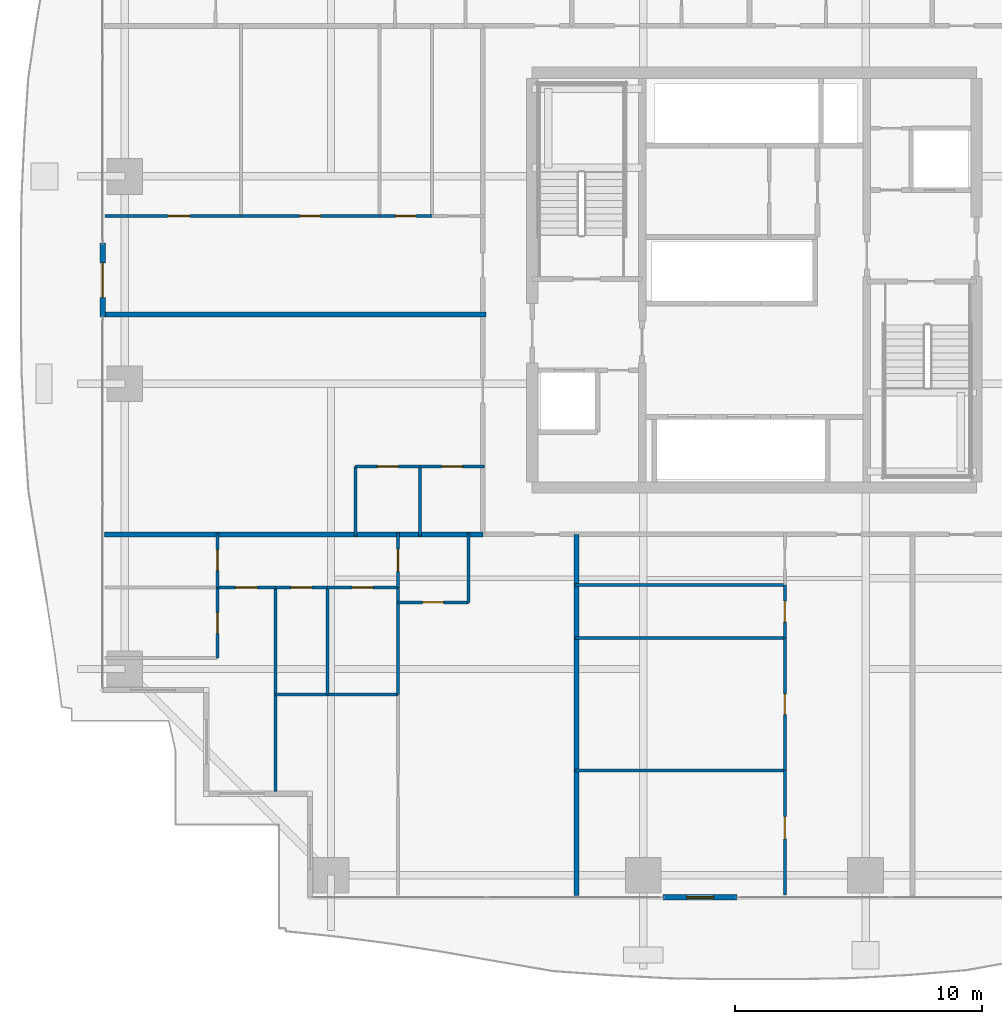
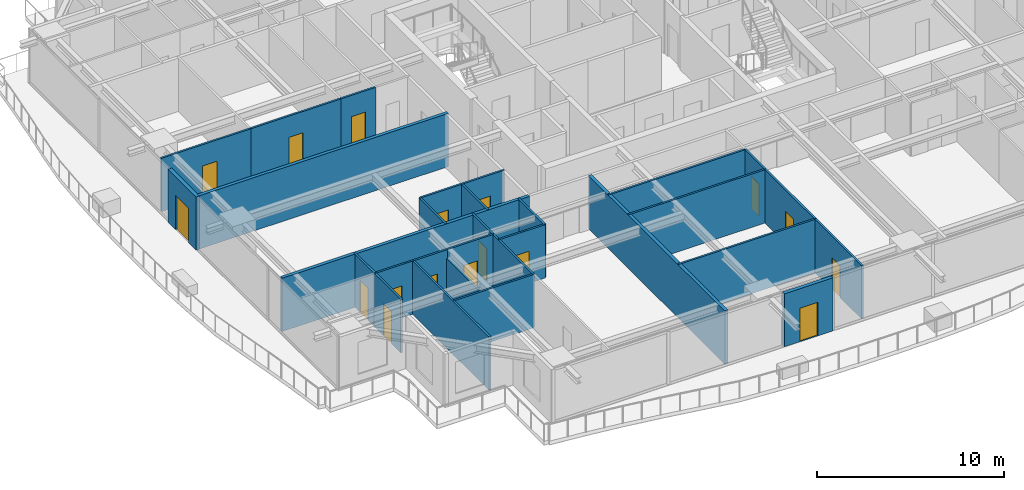
# One storey, part 27 of 41: 30 walls, 17 doors, 17 openings.
"""IFC4 building model written with IfcOpenShell, lengths in metres."""

from ifc_helpers import new_model, si_unit, direction, frame, frame_2d, origin, place, context, subcontext, project, spatial, rectangle, extrude, source, transform, mapped, material, layer, layer_set, type_object, element, fill, save


model = new_model("IFC4")

# Units and contexts
model_context = context("Model", 3, precision=1e-05, world=origin(), true_north=direction((0.0, 1.0)))
body_context = subcontext(model_context, "Body", "Model", "MODEL_VIEW")
ifc_project = project(units=[si_unit("LENGTHUNIT", "METRE"), si_unit("AREAUNIT", "SQUARE_METRE"), si_unit("VOLUMEUNIT", "CUBIC_METRE"), si_unit("PLANEANGLEUNIT", "RADIAN"), si_unit("MASSUNIT", "GRAM", prefix="KILO")], contexts=[model_context])

# Site, building, storey
site_placement = place(None, origin())
site = spatial("IfcSite", under=ifc_project, at=site_placement, CompositionType="ELEMENT")
building_placement = place(site_placement, origin())
building = spatial("IfcBuilding", under=site, at=building_placement, Name="Serunith Strait Residences", CompositionType="ELEMENT")
storey_placement = place(building_placement, frame((0.0, 0.0, 45.449951171875)))
storey = spatial("IfcBuildingStorey", under=building, at=storey_placement, Name="L10", CompositionType="ELEMENT", Elevation=45.449951171875)

# Wall, opening, door
ifc_material_1 = material(Name="Pale-Champagne Aluminium Insulated Panel", Category="aluminium")
ifc_layer_1 = layer(ifc_material_1, 0.219970703125, Name="Pale-Champagne Aluminium Insulated Panel")
ifc_layer_set_1 = layer_set([ifc_layer_1], Name="Pale-Champagne Aluminium Insulated Panel")
wall_type_1 = type_object("IfcWallType", Name="EW-ALUM-220", PredefinedType="ELEMENTEDWALL", material=ifc_layer_set_1)
wall_1_placement = place(storey_placement, frame((28.699951171875, 0.199951171875, 0.0), z_axis=(0.0, 0.0, 1.0), x_axis=(1.0, 0.0, 0.0)))
wall_1 = element("IfcWall", 1, at=wall_1_placement, inside=storey, type_object=wall_type_1, Name="L10 S Facade Pier Wall", PredefinedType="ELEMENTEDWALL", context=body_context, shape_type="SweptSolid", body=[
    extrude(rectangle(XDim=3.0, YDim=0.219970703125, at=frame_2d((1.5, 0.0))), origin(), (0.0, 0.0, 1.0), 3.47509765625),
])
opening_1_placement = place(wall_1_placement, frame((0.949951171875, 0.0, 0.0)))
opening_1 = element("IfcOpeningElement", 2, at=opening_1_placement, cuts=wall_1, Name="Opening ED-03", PredefinedType="OPENING", context=body_context, shape_type="SweptSolid", body=[
    extrude(rectangle(XDim=1.10009765625, YDim=2.199951171875, at=frame_2d((0.550048828125, 1.10009765625))), frame((0.0, 0.1201171875, 0.0), z_axis=(0.0, -1.0, 0.0), x_axis=(1.0, 0.0, 0.0)), (0.0, 0.0, 1.0), 0.239990234375),
])
ifc_material_2 = material(Name="Thermally-Broken Aluminium Glazed Balcony Door", Category="aluminium")
door_type_1 = type_object("IfcDoorType", Name="ED-BALC-1100", OperationType="NOTDEFINED", PredefinedType="DOOR", material=ifc_material_2)
shared_shape_1 = source(origin(), body_context, "Body", "SweptSolid", [
    extrude(rectangle(XDim=1.10009765625, YDim=2.199951171875, at=frame_2d((0.550048828125, 1.10009765625))), frame((0.0, 0.02490234375, 0.0), z_axis=(0.0, -1.0, 0.0), x_axis=(1.0, 0.0, 0.0)), (0.0, 0.0, 1.0), 0.050048828125),
])
door_1_placement = place(opening_1_placement, origin())
door_1 = element("IfcDoor", 3, at=door_1_placement, inside=storey, type_object=door_type_1, Name="L10 S Vertical-Forest Balcony Door", OperationType="SINGLE_SWING_LEFT", OverallHeight=2.199951171875, OverallWidth=1.10009765625, PredefinedType="DOOR", context=body_context, shape_type="MappedRepresentation", body=[
    mapped(shared_shape_1, transform((0.0, 0.0, 0.0), scale=1.0)),
])
fill(opening_1, door_1)

wall_2_placement = place(storey_placement, frame((6.0, 26.699951171875, 0.0), z_axis=(0.0, 0.0, 1.0), x_axis=(0.0, -1.0, 0.0)))
wall_2 = element("IfcWall", 4, at=wall_2_placement, inside=storey, type_object=wall_type_1, Name="L10 W Facade Pier Wall", PredefinedType="ELEMENTEDWALL", context=body_context, shape_type="SweptSolid", body=[
    extrude(rectangle(XDim=3.0, YDim=0.219970703125, at=frame_2d((1.5, 0.0))), origin(), (0.0, 0.0, 1.0), 3.47509765625),
])
opening_2_placement = place(wall_2_placement, frame((0.800048828125, 0.0, 0.0)))
opening_2 = element("IfcOpeningElement", 5, at=opening_2_placement, cuts=wall_2, Name="Opening ED-04", PredefinedType="OPENING", context=body_context, shape_type="SweptSolid", body=[
    extrude(rectangle(XDim=1.39990234375, YDim=2.25, at=frame_2d((0.699951171875, 1.125))), frame((0.0, 0.1201171875, 0.0), z_axis=(0.0, -1.0, 0.0), x_axis=(1.0, 0.0, 0.0)), (0.0, 0.0, 1.0), 0.239990234375),
])
ifc_material_3 = material(Name="Thermally-Broken Aluminium Sliding Balcony Door", Category="aluminium")
door_type_2 = type_object("IfcDoorType", Name="ED-BALC-1400", OperationType="NOTDEFINED", PredefinedType="DOOR", material=ifc_material_3)
shared_shape_2 = source(origin(), body_context, "Body", "SweptSolid", [
    extrude(rectangle(XDim=1.39990234375, YDim=2.25, at=frame_2d((0.699951171875, 1.125))), frame((0.0, 0.02490234375, 0.0), z_axis=(0.0, -1.0, 0.0), x_axis=(1.0, 0.0, 0.0)), (0.0, 0.0, 1.0), 0.050048828125),
])
door_2_placement = place(opening_2_placement, origin())
door_2 = element("IfcDoor", 6, at=door_2_placement, inside=storey, type_object=door_type_2, Name="L10 W Vertical-Forest Balcony Door", OperationType="SLIDING_TO_LEFT", OverallHeight=2.25, OverallWidth=1.39990234375, PredefinedType="DOOR", context=body_context, shape_type="MappedRepresentation", body=[
    mapped(shared_shape_2, transform((0.0, 0.0, 0.0), scale=1.0)),
])
fill(opening_2, door_2)

ifc_material_4 = material(Name="Lightweight steel-stud gypsum partition", Category="steel")
ifc_layer_2 = layer(ifc_material_4, 0.1201171875, Name="Lightweight steel-stud gypsum partition")
ifc_layer_set_2 = layer_set([ifc_layer_2], Name="Lightweight steel-stud gypsum partition")
wall_type_2 = type_object("IfcWallType", Name="IW-PART-120", PredefinedType="PARTITIONING", material=ifc_layer_set_2)
wall_3_placement = place(storey_placement, frame((17.9599609375, 12.14990234375, 0.0), z_axis=(0.0, 0.0, 1.0), x_axis=(1.0, 0.0, 0.0)))
wall_3 = element("IfcWall", 7, at=wall_3_placement, inside=storey, type_object=wall_type_2, Name="L10 Partition Wall 029", PredefinedType="PARTITIONING", context=body_context, shape_type="SweptSolid", body=[
    extrude(rectangle(XDim=2.85009765625, YDim=0.1201171875, at=frame_2d((1.425048828125, 0.0))), origin(), (0.0, 0.0, 1.0), 3.489990234375),
])
opening_3_placement = place(wall_3_placement, frame((1.0, 0.0, 0.0)))
opening_3 = element("IfcOpeningElement", 8, at=opening_3_placement, cuts=wall_3, Name="Opening D-RM850", PredefinedType="OPENING", context=body_context, shape_type="SweptSolid", body=[
    extrude(rectangle(XDim=0.85009765625, YDim=2.10009765625, at=frame_2d((0.425048828125, 1.050048828125))), frame((0.0, 0.070068359375, 0.0), z_axis=(0.0, -1.0, 0.0), x_axis=(1.0, 0.0, 0.0)), (0.0, 0.0, 1.0), 0.14013671875),
])
ifc_material_5 = material(Name="Engineered timber flush study and kitchen door", Category="wood")
door_type_3 = type_object("IfcDoorType", Name="ID-ROOM-850", OperationType="NOTDEFINED", PredefinedType="DOOR", material=ifc_material_5)
shared_shape_3 = source(origin(), body_context, "Body", "SweptSolid", [
    extrude(rectangle(XDim=0.85009765625, YDim=2.10009765625, at=frame_2d((0.425048828125, 1.050048828125))), frame((0.0, 0.02490234375, 0.0), z_axis=(0.0, -1.0, 0.0), x_axis=(1.0, 0.0, 0.0)), (0.0, 0.0, 1.0), 0.050048828125),
])
door_3_placement = place(opening_3_placement, origin())
door_3 = element("IfcDoor", 9, at=door_3_placement, inside=storey, type_object=door_type_3, Name="L10 Kitchen 1001 Door", OperationType="SINGLE_SWING_RIGHT", OverallHeight=2.10009765625, OverallWidth=0.85009765625, PredefinedType="DOOR", context=body_context, shape_type="MappedRepresentation", body=[
    mapped(shared_shape_3, transform((0.0, 0.0, 0.0), scale=1.0)),
])
fill(opening_3, door_3)

# Wall
wall_4_placement = place(storey_placement, frame((20.81005859375, 12.14990234375, 0.0), z_axis=(0.0, 0.0, 1.0), x_axis=(0.0, 1.0, 0.0)))
element("IfcWall", 10, at=wall_4_placement, inside=storey, type_object=wall_type_2, Name="L10 Partition Wall 030", PredefinedType="PARTITIONING", context=body_context, shape_type="SweptSolid", body=[
    extrude(rectangle(XDim=2.81005859375, YDim=0.1201171875, at=frame_2d((1.405029296875, 0.0))), origin(), (0.0, 0.0, 1.0), 3.489990234375),
])

# Wall, opening, door
wall_5_placement = place(storey_placement, frame((17.9599609375, 12.75, 0.0), z_axis=(0.0, 0.0, 1.0), x_axis=(0.0, 1.0, 0.0)))
wall_5 = element("IfcWall", 11, at=wall_5_placement, inside=storey, type_object=wall_type_2, Name="L10 Partition Wall 031", PredefinedType="PARTITIONING", context=body_context, shape_type="SweptSolid", body=[
    extrude(rectangle(XDim=2.2099609375, YDim=0.1201171875, at=frame_2d((1.10498046875, 0.0))), origin(), (0.0, 0.0, 1.0), 3.489990234375),
])
opening_4_placement = place(wall_5_placement, frame((0.655029296875, 0.0, 0.0)))
opening_4 = element("IfcOpeningElement", 12, at=opening_4_placement, cuts=wall_5, Name="Opening D-RM900", PredefinedType="OPENING", context=body_context, shape_type="SweptSolid", body=[
    extrude(rectangle(XDim=0.89990234375, YDim=2.10009765625, at=frame_2d((0.449951171875, 1.050048828125))), frame((0.0, 0.070068359375, 0.0), z_axis=(0.0, -1.0, 0.0), x_axis=(1.0, 0.0, 0.0)), (0.0, 0.0, 1.0), 0.14013671875),
])
ifc_material_6 = material(Name="Engineered timber flush bedroom door", Category="wood")
door_type_4 = type_object("IfcDoorType", Name="ID-ROOM-900", OperationType="NOTDEFINED", PredefinedType="DOOR", material=ifc_material_6)
shared_shape_4 = source(origin(), body_context, "Body", "SweptSolid", [
    extrude(rectangle(XDim=0.89990234375, YDim=2.10009765625, at=frame_2d((0.449951171875, 1.050048828125))), frame((0.0, 0.02490234375, 0.0), z_axis=(0.0, -1.0, 0.0), x_axis=(1.0, 0.0, 0.0)), (0.0, 0.0, 1.0), 0.050048828125),
])
door_4_placement = place(opening_4_placement, origin())
door_4 = element("IfcDoor", 13, at=door_4_placement, inside=storey, type_object=door_type_4, Name="L10 Hall W 1001 Door", OperationType="SINGLE_SWING_LEFT", OverallHeight=2.10009765625, OverallWidth=0.89990234375, PredefinedType="DOOR", context=body_context, shape_type="MappedRepresentation", body=[
    mapped(shared_shape_4, transform((0.0, 0.0, 0.0), scale=1.0)),
])
fill(opening_4, door_4)

# Walls
wall_6_placement = place(storey_placement, frame((17.9599609375, 8.426025390625, 0.0), z_axis=(0.0, 0.0, 1.0), x_axis=(0.0, 1.0, 0.0)))
element("IfcWall", 14, at=wall_6_placement, inside=storey, type_object=wall_type_2, Name="L10 Partition Wall 033", PredefinedType="PARTITIONING", context=body_context, shape_type="SweptSolid", body=[
    extrude(rectangle(XDim=4.322021484375, YDim=0.1201171875, at=frame_2d((2.1611328125, 0.0))), origin(), (0.0, 0.0, 1.0), 3.489990234375),
])
wall_7_placement = place(storey_placement, frame((13.0, 8.424072265625, 0.0), z_axis=(0.0, 0.0, 1.0), x_axis=(1.0, 0.0, 0.0)))
element("IfcWall", 15, at=wall_7_placement, inside=storey, type_object=wall_type_2, Name="L10 Partition Wall 034", PredefinedType="PARTITIONING", context=body_context, shape_type="SweptSolid", body=[
    extrude(rectangle(XDim=4.9599609375, YDim=0.1201171875, at=frame_2d((2.47998046875, 0.0))), origin(), (0.0, 0.0, 1.0), 3.489990234375),
])
wall_8_placement = place(storey_placement, frame((13.0, 4.4951171875, 0.0), z_axis=(0.0, 0.0, 1.0), x_axis=(0.0, 1.0, 0.0)))
element("IfcWall", 16, at=wall_8_placement, inside=storey, type_object=wall_type_2, Name="L10 Partition Wall 035", PredefinedType="PARTITIONING", context=body_context, shape_type="SweptSolid", body=[
    extrude(rectangle(XDim=8.2548828125, YDim=0.1201171875, at=frame_2d((4.12744140625, 0.0))), origin(), (0.0, 0.0, 1.0), 3.489990234375),
])
wall_9_placement = place(storey_placement, frame((15.10009765625, 8.424072265625, 0.0), z_axis=(0.0, 0.0, 1.0), x_axis=(0.0, 1.0, 0.0)))
element("IfcWall", 17, at=wall_9_placement, inside=storey, type_object=wall_type_2, Name="L10 Partition Wall 036", PredefinedType="PARTITIONING", context=body_context, shape_type="SweptSolid", body=[
    extrude(rectangle(XDim=4.325927734375, YDim=0.1201171875, at=frame_2d((2.1630859375, 0.0))), origin(), (0.0, 0.0, 1.0), 2.922119140625),
])

# Wall, opening, door
wall_10_placement = place(storey_placement, frame((13.0, 12.75, 0.0), z_axis=(0.0, 0.0, 1.0), x_axis=(1.0, 0.0, 0.0)))
wall_10 = element("IfcWall", 18, at=wall_10_placement, inside=storey, type_object=wall_type_2, Name="L10 Partition Wall 037", PredefinedType="PARTITIONING", context=body_context, shape_type="SweptSolid", body=[
    extrude(rectangle(XDim=2.10009765625, YDim=0.1201171875, at=frame_2d((1.050048828125, 0.0))), origin(), (0.0, 0.0, 1.0), 3.489990234375),
])
opening_5_placement = place(wall_10_placement, frame((0.625, 0.0, 0.0)))
opening_5 = element("IfcOpeningElement", 19, at=opening_5_placement, cuts=wall_10, Name="Opening D-BTH850", PredefinedType="OPENING", context=body_context, shape_type="SweptSolid", body=[
    extrude(rectangle(XDim=0.85009765625, YDim=2.10009765625, at=frame_2d((0.425048828125, 1.050048828125))), frame((0.0, 0.070068359375, 0.0), z_axis=(0.0, -1.0, 0.0), x_axis=(1.0, 0.0, 0.0)), (0.0, 0.0, 1.0), 0.14013671875),
])
ifc_material_7 = material(Name="Moisture-resistant timber bathroom door", Category="wood")
door_type_5 = type_object("IfcDoorType", Name="ID-BATH-850", OperationType="NOTDEFINED", PredefinedType="DOOR", material=ifc_material_7)
door_5_placement = place(opening_5_placement, origin())
door_5 = element("IfcDoor", 20, at=door_5_placement, inside=storey, type_object=door_type_5, Name="L10 Bathroom 1001 Door", OperationType="SINGLE_SWING_LEFT", OverallHeight=2.10009765625, OverallWidth=0.85009765625, PredefinedType="DOOR", context=body_context, shape_type="MappedRepresentation", body=[
    mapped(shared_shape_3, transform((0.0, 0.0, 0.0), scale=1.0)),
])
fill(opening_5, door_5)

wall_11_placement = place(storey_placement, frame((15.10205078125, 12.75, 0.0), z_axis=(0.0, 0.0, 1.0), x_axis=(1.0, 0.0, 0.0)))
wall_11 = element("IfcWall", 21, at=wall_11_placement, inside=storey, type_object=wall_type_2, Name="L10 Partition Wall 038", PredefinedType="PARTITIONING", context=body_context, shape_type="SweptSolid", body=[
    extrude(rectangle(XDim=2.85791015625, YDim=0.1201171875, at=frame_2d((1.428955078125, 0.0))), origin(), (0.0, 0.0, 1.0), 3.489990234375),
])
opening_6_placement = place(wall_11_placement, frame((1.00390625, 0.0, 0.0)))
opening_6 = element("IfcOpeningElement", 22, at=opening_6_placement, cuts=wall_11, Name="Opening D-RM850", PredefinedType="OPENING", context=body_context, shape_type="SweptSolid", body=[
    extrude(rectangle(XDim=0.85009765625, YDim=2.10009765625, at=frame_2d((0.425048828125, 1.050048828125))), frame((0.0, 0.070068359375, 0.0), z_axis=(0.0, -1.0, 0.0), x_axis=(1.0, 0.0, 0.0)), (0.0, 0.0, 1.0), 0.14013671875),
])
door_6_placement = place(opening_6_placement, origin())
door_6 = element("IfcDoor", 23, at=door_6_placement, inside=storey, type_object=door_type_3, Name="L10 Formal Dining Room 1001 Door", OperationType="SINGLE_SWING_RIGHT", OverallHeight=2.10009765625, OverallWidth=0.85009765625, PredefinedType="DOOR", context=body_context, shape_type="MappedRepresentation", body=[
    mapped(shared_shape_3, transform((0.0, 0.0, 0.0), scale=1.0)),
])
fill(opening_6, door_6)

wall_12_placement = place(storey_placement, frame((10.64990234375, 12.75, 0.0), z_axis=(0.0, 0.0, 1.0), x_axis=(1.0, 0.0, 0.0)))
wall_12 = element("IfcWall", 24, at=wall_12_placement, inside=storey, type_object=wall_type_2, Name="L10 Partition Wall 039", PredefinedType="PARTITIONING", context=body_context, shape_type="SweptSolid", body=[
    extrude(rectangle(XDim=2.34814453125, YDim=0.1201171875, at=frame_2d((1.174072265625, 0.0))), origin(), (0.0, 0.0, 1.0), 3.489990234375),
])
opening_7_placement = place(wall_12_placement, frame((0.72412109375, 0.0, 0.0)))
opening_7 = element("IfcOpeningElement", 25, at=opening_7_placement, cuts=wall_12, Name="Opening D-RM900", PredefinedType="OPENING", context=body_context, shape_type="SweptSolid", body=[
    extrude(rectangle(XDim=0.89990234375, YDim=2.10009765625, at=frame_2d((0.449951171875, 1.050048828125))), frame((0.0, 0.070068359375, 0.0), z_axis=(0.0, -1.0, 0.0), x_axis=(1.0, 0.0, 0.0)), (0.0, 0.0, 1.0), 0.14013671875),
])
door_7_placement = place(opening_7_placement, origin())
door_7 = element("IfcDoor", 26, at=door_7_placement, inside=storey, type_object=door_type_4, Name="L10 Master Bedroom W 1001 Door", OperationType="SINGLE_SWING_LEFT", OverallHeight=2.10009765625, OverallWidth=0.89990234375, PredefinedType="DOOR", context=body_context, shape_type="MappedRepresentation", body=[
    mapped(shared_shape_4, transform((0.0, 0.0, 0.0), scale=1.0)),
])
fill(opening_7, door_7)

wall_13_placement = place(storey_placement, frame((10.64990234375, 9.89404296875, 0.0), z_axis=(0.0, 0.0, 1.0), x_axis=(0.0, 1.0, 0.0)))
wall_13 = element("IfcWall", 27, at=wall_13_placement, inside=storey, type_object=wall_type_2, Name="L10 Partition Wall 042", PredefinedType="PARTITIONING", context=body_context, shape_type="SweptSolid", body=[
    extrude(rectangle(XDim=2.85595703125, YDim=0.1201171875, at=frame_2d((1.427978515625, 0.0))), origin(), (0.0, 0.0, 1.0), 3.489990234375),
])
opening_8_placement = place(wall_13_placement, frame((1.0029296875, 0.0, 0.0)))
opening_8 = element("IfcOpeningElement", 28, at=opening_8_placement, cuts=wall_13, Name="Opening D-BTH850", PredefinedType="OPENING", context=body_context, shape_type="SweptSolid", body=[
    extrude(rectangle(XDim=0.85009765625, YDim=2.10009765625, at=frame_2d((0.425048828125, 1.050048828125))), frame((0.0, 0.070068359375, 0.0), z_axis=(0.0, -1.0, 0.0), x_axis=(1.0, 0.0, 0.0)), (0.0, 0.0, 1.0), 0.14013671875),
])
door_8_placement = place(opening_8_placement, origin())
door_8 = element("IfcDoor", 29, at=door_8_placement, inside=storey, type_object=door_type_5, Name="L10 En-suite Bathroom W 1001 Door", OperationType="SINGLE_SWING_RIGHT", OverallHeight=2.10009765625, OverallWidth=0.85009765625, PredefinedType="DOOR", context=body_context, shape_type="MappedRepresentation", body=[
    mapped(shared_shape_3, transform((0.0, 0.0, 0.0), scale=1.0)),
])
fill(opening_8, door_8)

wall_14_placement = place(storey_placement, frame((10.64990234375, 12.751953125, 0.0), z_axis=(0.0, 0.0, 1.0), x_axis=(0.0, 1.0, 0.0)))
wall_14 = element("IfcWall", 30, at=wall_14_placement, inside=storey, type_object=wall_type_2, Name="L10 Partition Wall 043", PredefinedType="PARTITIONING", context=body_context, shape_type="SweptSolid", body=[
    extrude(rectangle(XDim=2.2080078125, YDim=0.1201171875, at=frame_2d((1.10400390625, 0.0))), origin(), (0.0, 0.0, 1.0), 3.489990234375),
])
opening_9_placement = place(wall_14_placement, frame((0.678955078125, 0.0, 0.0)))
opening_9 = element("IfcOpeningElement", 31, at=opening_9_placement, cuts=wall_14, Name="Opening D-RM850", PredefinedType="OPENING", context=body_context, shape_type="SweptSolid", body=[
    extrude(rectangle(XDim=0.85009765625, YDim=2.10009765625, at=frame_2d((0.425048828125, 1.050048828125))), frame((0.0, 0.070068359375, 0.0), z_axis=(0.0, -1.0, 0.0), x_axis=(1.0, 0.0, 0.0)), (0.0, 0.0, 1.0), 0.14013671875),
])
door_9_placement = place(opening_9_placement, origin())
door_9 = element("IfcDoor", 32, at=door_9_placement, inside=storey, type_object=door_type_3, Name="L10 Wardrobe W 1001 Door", OperationType="SINGLE_SWING_LEFT", OverallHeight=2.10009765625, OverallWidth=0.85009765625, PredefinedType="DOOR", context=body_context, shape_type="MappedRepresentation", body=[
    mapped(shared_shape_3, transform((0.0, 0.0, 0.0), scale=1.0)),
])
fill(opening_9, door_9)

wall_15_placement = place(storey_placement, frame((33.6298828125, 0.294921875, 0.0), z_axis=(0.0, 0.0, 1.0), x_axis=(0.0, 1.0, 0.0)))
wall_15 = element("IfcWall", 33, at=wall_15_placement, inside=storey, type_object=wall_type_2, Name="L10 Partition Wall 044", PredefinedType="PARTITIONING", context=body_context, shape_type="SweptSolid", body=[
    extrude(rectangle(XDim=5.045166015625, YDim=0.1201171875, at=frame_2d((2.5224609375, 0.0))), origin(), (0.0, 0.0, 1.0), 3.489990234375),
])
opening_10_placement = place(wall_15_placement, frame((2.280029296875, 0.0, 0.0)))
opening_10 = element("IfcOpeningElement", 34, at=opening_10_placement, cuts=wall_15, Name="Opening D-RM900", PredefinedType="OPENING", context=body_context, shape_type="SweptSolid", body=[
    extrude(rectangle(XDim=0.89990234375, YDim=2.10009765625, at=frame_2d((0.449951171875, 1.050048828125))), frame((0.0, 0.070068359375, 0.0), z_axis=(0.0, -1.0, 0.0), x_axis=(1.0, 0.0, 0.0)), (0.0, 0.0, 1.0), 0.14013671875),
])
door_10_placement = place(opening_10_placement, origin())
door_10 = element("IfcDoor", 35, at=door_10_placement, inside=storey, type_object=door_type_4, Name="L10 Master Bedroom 1 1002 Door", OperationType="SINGLE_SWING_RIGHT", OverallHeight=2.10009765625, OverallWidth=0.89990234375, PredefinedType="DOOR", context=body_context, shape_type="MappedRepresentation", body=[
    mapped(shared_shape_4, transform((0.0, 0.0, 0.0), scale=1.0)),
])
fill(opening_10, door_10)

# Walls
for number, where, z_axis, x_axis, name in (
    (36, (25.139892578125, 5.340087890625, 0.0), (0.0, 0.0, 1.0), (1.0, 0.0, 0.0), "L10 Partition Wall 045"),
    (37, (25.139892578125, 10.702880859375, 0.0), (0.0, 0.0, 1.0), (1.0, 0.0, 0.0), "L10 Partition Wall 046"),
    (38, (25.139892578125, 12.85009765625, 0.0), (0.0, 0.0, 1.0), (1.0, 0.0, 0.0), "L10 Partition Wall 047"),
):
    element("IfcWall", number, at=place(storey_placement, frame(where, z_axis=z_axis, x_axis=x_axis)), inside=storey, type_object=wall_type_2, Name=name, PredefinedType="PARTITIONING", context=body_context, shape_type="SweptSolid", body=[
        extrude(rectangle(XDim=8.489990234375, YDim=0.1201171875, at=frame_2d((4.2451171875, 0.0))), origin(), (0.0, 0.0, 1.0), 3.489990234375),
    ])

# Wall, opening, door
wall_16_placement = place(storey_placement, frame((33.6298828125, 5.342041015625, 0.0), z_axis=(0.0, 0.0, 1.0), x_axis=(0.0, 1.0, 0.0)))
wall_16 = element("IfcWall", 39, at=wall_16_placement, inside=storey, type_object=wall_type_2, Name="L10 Partition Wall 048", PredefinedType="PARTITIONING", context=body_context, shape_type="SweptSolid", body=[
    extrude(rectangle(XDim=5.36083984375, YDim=0.1201171875, at=frame_2d((2.680419921875, 0.0))), origin(), (0.0, 0.0, 1.0), 3.489990234375),
])
opening_11_placement = place(wall_16_placement, frame((2.256103515625, 0.0, 0.0)))
opening_11 = element("IfcOpeningElement", 40, at=opening_11_placement, cuts=wall_16, Name="Opening D-RM850", PredefinedType="OPENING", context=body_context, shape_type="SweptSolid", body=[
    extrude(rectangle(XDim=0.85009765625, YDim=2.10009765625, at=frame_2d((0.425048828125, 1.050048828125))), frame((0.0, 0.070068359375, 0.0), z_axis=(0.0, -1.0, 0.0), x_axis=(1.0, 0.0, 0.0)), (0.0, 0.0, 1.0), 0.14013671875),
])
door_11_placement = place(opening_11_placement, origin())
door_11 = element("IfcDoor", 41, at=door_11_placement, inside=storey, type_object=door_type_3, Name="L10 Dining 1002 Door", OperationType="SINGLE_SWING_LEFT", OverallHeight=2.10009765625, OverallWidth=0.85009765625, PredefinedType="DOOR", context=body_context, shape_type="MappedRepresentation", body=[
    mapped(shared_shape_3, transform((0.0, 0.0, 0.0), scale=1.0)),
])
fill(opening_11, door_11)

wall_17_placement = place(storey_placement, frame((33.6298828125, 10.705078125, 0.0), z_axis=(0.0, 0.0, 1.0), x_axis=(0.0, 1.0, 0.0)))
wall_17 = element("IfcWall", 42, at=wall_17_placement, inside=storey, type_object=wall_type_2, Name="L10 Partition Wall 049", PredefinedType="PARTITIONING", context=body_context, shape_type="SweptSolid", body=[
    extrude(rectangle(XDim=2.14501953125, YDim=0.1201171875, at=frame_2d((1.072509765625, 0.0))), origin(), (0.0, 0.0, 1.0), 3.489990234375),
])
opening_12_placement = place(wall_17_placement, frame((0.64697265625, 0.0, 0.0)))
opening_12 = element("IfcOpeningElement", 43, at=opening_12_placement, cuts=wall_17, Name="Opening D-RM850", PredefinedType="OPENING", context=body_context, shape_type="SweptSolid", body=[
    extrude(rectangle(XDim=0.85009765625, YDim=2.10009765625, at=frame_2d((0.425048828125, 1.050048828125))), frame((0.0, 0.070068359375, 0.0), z_axis=(0.0, -1.0, 0.0), x_axis=(1.0, 0.0, 0.0)), (0.0, 0.0, 1.0), 0.14013671875),
])
door_12_placement = place(opening_12_placement, origin())
door_12 = element("IfcDoor", 44, at=door_12_placement, inside=storey, type_object=door_type_3, Name="L10 Kitchen 1002 Door", OperationType="SINGLE_SWING_RIGHT", OverallHeight=2.10009765625, OverallWidth=0.85009765625, PredefinedType="DOOR", context=body_context, shape_type="MappedRepresentation", body=[
    mapped(shared_shape_3, transform((0.0, 0.0, 0.0), scale=1.0)),
])
fill(opening_12, door_12)

wall_18_placement = place(storey_placement, frame((16.25, 17.64990234375, 0.0), z_axis=(0.0, 0.0, 1.0), x_axis=(1.0, 0.0, 0.0)))
wall_18 = element("IfcWall", 45, at=wall_18_placement, inside=storey, type_object=wall_type_2, Name="L10 Partition Wall 104", PredefinedType="PARTITIONING", context=body_context, shape_type="SweptSolid", body=[
    extrude(rectangle(XDim=2.60009765625, YDim=0.1201171875, at=frame_2d((1.300048828125, 0.0))), origin(), (0.0, 0.0, 1.0), 3.489990234375),
])
opening_13_placement = place(wall_18_placement, frame((0.875, 0.0, 0.0)))
opening_13 = element("IfcOpeningElement", 46, at=opening_13_placement, cuts=wall_18, Name="Opening D-RM850", PredefinedType="OPENING", context=body_context, shape_type="SweptSolid", body=[
    extrude(rectangle(XDim=0.85009765625, YDim=2.10009765625, at=frame_2d((0.425048828125, 1.050048828125))), frame((0.0, 0.070068359375, 0.0), z_axis=(0.0, -1.0, 0.0), x_axis=(1.0, 0.0, 0.0)), (0.0, 0.0, 1.0), 0.14013671875),
])
door_13_placement = place(opening_13_placement, origin())
door_13 = element("IfcDoor", 47, at=door_13_placement, inside=storey, type_object=door_type_3, Name="L10 Kitchen 1008 Door", OperationType="SINGLE_SWING_RIGHT", OverallHeight=2.10009765625, OverallWidth=0.85009765625, PredefinedType="DOOR", context=body_context, shape_type="MappedRepresentation", body=[
    mapped(shared_shape_3, transform((0.0, 0.0, 0.0), scale=1.0)),
])
fill(opening_13, door_13)

wall_19_placement = place(storey_placement, frame((18.85205078125, 17.64990234375, 0.0), z_axis=(0.0, 0.0, 1.0), x_axis=(1.0, 0.0, 0.0)))
wall_19 = element("IfcWall", 48, at=wall_19_placement, inside=storey, type_object=wall_type_2, Name="L10 Partition Wall 105", PredefinedType="PARTITIONING", context=body_context, shape_type="SweptSolid", body=[
    extrude(rectangle(XDim=2.60791015625, YDim=0.1201171875, at=frame_2d((1.303955078125, 0.0))), origin(), (0.0, 0.0, 1.0), 3.489990234375),
])
opening_14_placement = place(wall_19_placement, frame((0.87890625, 0.0, 0.0)))
opening_14 = element("IfcOpeningElement", 49, at=opening_14_placement, cuts=wall_19, Name="Opening D-BTH850", PredefinedType="OPENING", context=body_context, shape_type="SweptSolid", body=[
    extrude(rectangle(XDim=0.85009765625, YDim=2.10009765625, at=frame_2d((0.425048828125, 1.050048828125))), frame((0.0, 0.070068359375, 0.0), z_axis=(0.0, -1.0, 0.0), x_axis=(1.0, 0.0, 0.0)), (0.0, 0.0, 1.0), 0.14013671875),
])
door_14_placement = place(opening_14_placement, origin())
door_14 = element("IfcDoor", 50, at=door_14_placement, inside=storey, type_object=door_type_5, Name="L10 Bathroom 1008 Door", OperationType="SINGLE_SWING_LEFT", OverallHeight=2.10009765625, OverallWidth=0.85009765625, PredefinedType="DOOR", context=body_context, shape_type="MappedRepresentation", body=[
    mapped(shared_shape_3, transform((0.0, 0.0, 0.0), scale=1.0)),
])
fill(opening_14, door_14)

# Walls
for number, where, z_axis, x_axis, name in (
    (51, (18.85009765625, 14.840087890625, 0.0), (0.0, 0.0, 1.0), (0.0, 1.0, 0.0), "L10 Partition Wall 106"),
    (52, (16.25, 14.840087890625, 0.0), (0.0, 0.0, 1.0), (0.0, 1.0, 0.0), "L10 Partition Wall 107"),
):
    element("IfcWall", number, at=place(storey_placement, frame(where, z_axis=z_axis, x_axis=x_axis)), inside=storey, type_object=wall_type_2, Name=name, PredefinedType="PARTITIONING", context=body_context, shape_type="SweptSolid", body=[
        extrude(rectangle(XDim=2.809814453125, YDim=0.1201171875, at=frame_2d((1.40478515625, 0.0))), origin(), (0.0, 0.0, 1.0), 3.489990234375),
    ])

# Wall, opening, door
wall_20_placement = place(storey_placement, frame((6.094970703125, 27.800048828125, 0.0), z_axis=(0.0, 0.0, 1.0), x_axis=(1.0, 0.0, 0.0)))
wall_20 = element("IfcWall", 53, at=wall_20_placement, inside=storey, type_object=wall_type_2, Name="L10 Partition Wall 108", PredefinedType="PARTITIONING", context=body_context, shape_type="SweptSolid", body=[
    extrude(rectangle(XDim=5.513916015625, YDim=0.1201171875, at=frame_2d((2.7568359375, 0.0))), origin(), (0.0, 0.0, 1.0), 3.489990234375),
])
opening_15_placement = place(wall_20_placement, frame((2.5380859375, 0.0, 0.0)))
opening_15 = element("IfcOpeningElement", 54, at=opening_15_placement, cuts=wall_20, Name="Opening D-RM900", PredefinedType="OPENING", context=body_context, shape_type="SweptSolid", body=[
    extrude(rectangle(XDim=0.89990234375, YDim=2.10009765625, at=frame_2d((0.449951171875, 1.050048828125))), frame((0.0, 0.070068359375, 0.0), z_axis=(0.0, -1.0, 0.0), x_axis=(1.0, 0.0, 0.0)), (0.0, 0.0, 1.0), 0.14013671875),
])
door_15_placement = place(opening_15_placement, origin())
door_15 = element("IfcDoor", 55, at=door_15_placement, inside=storey, type_object=door_type_4, Name="L10 Master Bedroom 1 1009 Door", OperationType="SINGLE_SWING_RIGHT", OverallHeight=2.10009765625, OverallWidth=0.89990234375, PredefinedType="DOOR", context=body_context, shape_type="MappedRepresentation", body=[
    mapped(shared_shape_4, transform((0.0, 0.0, 0.0), scale=1.0)),
])
fill(opening_15, door_15)

wall_21_placement = place(storey_placement, frame((11.611083984375, 27.800048828125, 0.0), z_axis=(0.0, 0.0, 1.0), x_axis=(1.0, 0.0, 0.0)))
wall_21 = element("IfcWall", 56, at=wall_21_placement, inside=storey, type_object=wall_type_2, Name="L10 Partition Wall 112", PredefinedType="PARTITIONING", context=body_context, shape_type="SweptSolid", body=[
    extrude(rectangle(XDim=5.595947265625, YDim=0.1201171875, at=frame_2d((2.7978515625, 0.0))), origin(), (0.0, 0.0, 1.0), 3.489990234375),
])
opening_16_placement = place(wall_21_placement, frame((2.373046875, 0.0, 0.0)))
opening_16 = element("IfcOpeningElement", 57, at=opening_16_placement, cuts=wall_21, Name="Opening D-RM850", PredefinedType="OPENING", context=body_context, shape_type="SweptSolid", body=[
    extrude(rectangle(XDim=0.85009765625, YDim=2.10009765625, at=frame_2d((0.425048828125, 1.050048828125))), frame((0.0, 0.070068359375, 0.0), z_axis=(0.0, -1.0, 0.0), x_axis=(1.0, 0.0, 0.0)), (0.0, 0.0, 1.0), 0.14013671875),
])
door_16_placement = place(opening_16_placement, origin())
door_16 = element("IfcDoor", 58, at=door_16_placement, inside=storey, type_object=door_type_3, Name="L10 Dining 1009 Door", OperationType="SINGLE_SWING_LEFT", OverallHeight=2.10009765625, OverallWidth=0.85009765625, PredefinedType="DOOR", context=body_context, shape_type="MappedRepresentation", body=[
    mapped(shared_shape_3, transform((0.0, 0.0, 0.0), scale=1.0)),
])
fill(opening_16, door_16)

wall_22_placement = place(storey_placement, frame((17.208984375, 27.800048828125, 0.0), z_axis=(0.0, 0.0, 1.0), x_axis=(1.0, 0.0, 0.0)))
wall_22 = element("IfcWall", 59, at=wall_22_placement, inside=storey, type_object=wall_type_2, Name="L10 Partition Wall 113", PredefinedType="PARTITIONING", context=body_context, shape_type="SweptSolid", body=[
    extrude(rectangle(XDim=2.14111328125, YDim=0.1201171875, at=frame_2d((1.070556640625, 0.0))), origin(), (0.0, 0.0, 1.0), 3.489990234375),
])
opening_17_placement = place(wall_22_placement, frame((0.64599609375, 0.0, 0.0)))
opening_17 = element("IfcOpeningElement", 60, at=opening_17_placement, cuts=wall_22, Name="Opening D-RM850", PredefinedType="OPENING", context=body_context, shape_type="SweptSolid", body=[
    extrude(rectangle(XDim=0.85009765625, YDim=2.10009765625, at=frame_2d((0.425048828125, 1.050048828125))), frame((0.0, 0.070068359375, 0.0), z_axis=(0.0, -1.0, 0.0), x_axis=(1.0, 0.0, 0.0)), (0.0, 0.0, 1.0), 0.14013671875),
])
door_17_placement = place(opening_17_placement, origin())
door_17 = element("IfcDoor", 61, at=door_17_placement, inside=storey, type_object=door_type_3, Name="L10 Kitchen 1009 Door", OperationType="SINGLE_SWING_RIGHT", OverallHeight=2.10009765625, OverallWidth=0.85009765625, PredefinedType="DOOR", context=body_context, shape_type="MappedRepresentation", body=[
    mapped(shared_shape_3, transform((0.0, 0.0, 0.0), scale=1.0)),
])
fill(opening_17, door_17)

# Walls
ifc_material_8 = material(Name="Twin-stud acoustic gypsum board partition")
ifc_layer_3 = layer(ifc_material_8, 0.199951171875, Name="Twin-stud acoustic gypsum board partition")
ifc_layer_set_3 = layer_set([ifc_layer_3], Name="Twin-stud acoustic gypsum board partition")
wall_type_3 = type_object("IfcWallType", Name="IW-PARTY-200", PredefinedType="PARTITIONING", material=ifc_layer_set_3)
wall_23_placement = place(storey_placement, frame((25.199951171875, 0.281982421875, 0.0), z_axis=(0.0, 0.0, 1.0), x_axis=(0.0, 1.0, 0.0)))
element("IfcWall", 62, at=wall_23_placement, inside=storey, type_object=wall_type_3, Name="L10 Partition Wall 015", PredefinedType="PARTITIONING", context=body_context, shape_type="SweptSolid", body=[
    extrude(rectangle(XDim=14.617919921875, YDim=0.199951171875, at=frame_2d((7.30908203125, 0.0))), origin(), (0.0, 0.0, 1.0), 3.489990234375),
])
wall_24_placement = place(storey_placement, frame((6.08203125, 23.800048828125, 0.0), z_axis=(0.0, 0.0, 1.0), x_axis=(1.0, 0.0, 0.0)))
element("IfcWall", 63, at=wall_24_placement, inside=storey, type_object=wall_type_3, Name="L10 Partition Wall 020", PredefinedType="PARTITIONING", context=body_context, shape_type="SweptSolid", body=[
    extrude(rectangle(XDim=15.43798828125, YDim=0.199951171875, at=frame_2d((7.718994140625, 0.0))), origin(), (0.0, 0.0, 1.0), 3.489990234375),
])
wall_25_placement = place(storey_placement, frame((6.08203125, 14.89990234375, 0.0), z_axis=(0.0, 0.0, 1.0), x_axis=(1.0, 0.0, 0.0)))
element("IfcWall", 64, at=wall_25_placement, inside=storey, type_object=wall_type_3, Name="L10 Partition Wall 021", PredefinedType="PARTITIONING", context=body_context, shape_type="SweptSolid", body=[
    extrude(rectangle(XDim=15.31787109375, YDim=0.199951171875, at=frame_2d((7.658935546875, 0.0))), origin(), (0.0, 0.0, 1.0), 3.489990234375),
])

save(model, "model.ifc")
